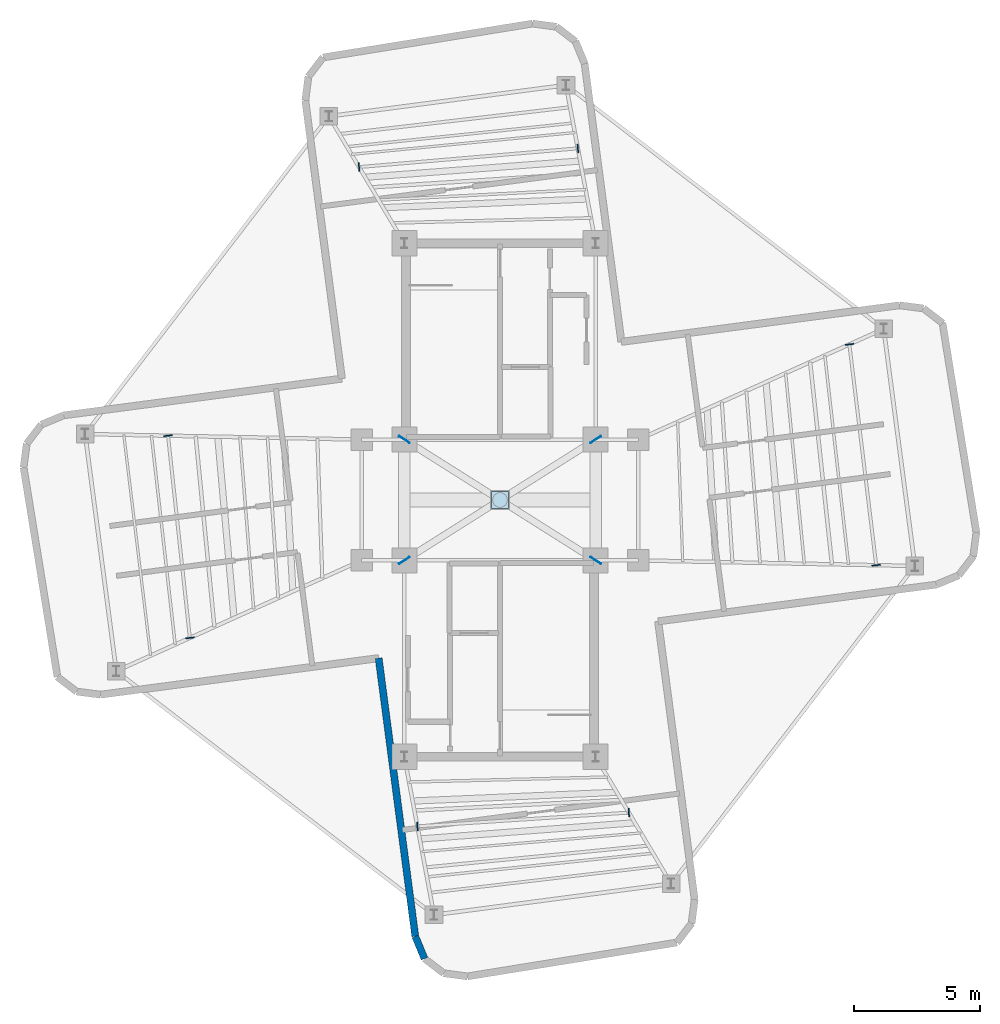
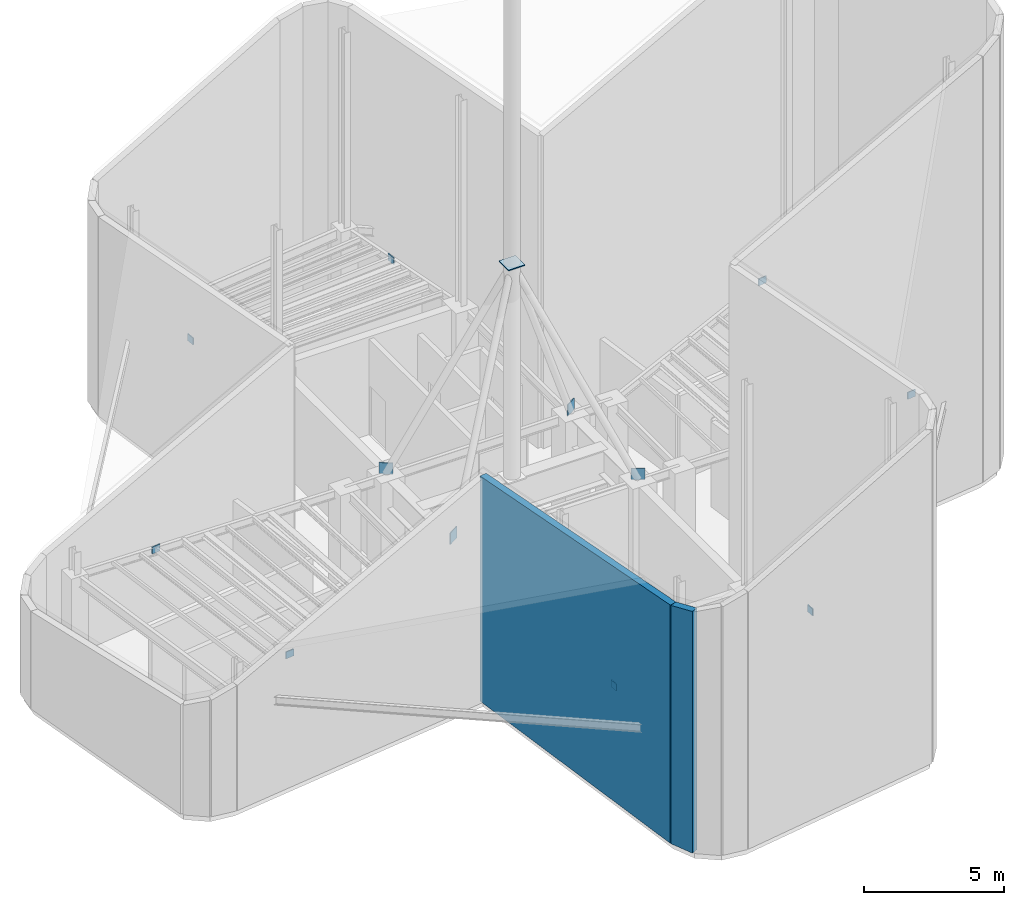
# One storey, part 5 of 8: 13 plates, 2 walls.
"""IFC4 building model written with IfcOpenShell, lengths in metres."""

import ifcopenshell
import ifcopenshell.guid

model = None  # the IFC model being written
_history = None  # IfcOwnerHistory: only IFC2X3 demands one
_inside = {}  # id of a spatial element -> (the spatial element, [elements in it])
_under = {}  # id of a project, library or spatial element -> (it, [spatial elements below it])
_declared = {}  # id of a project -> (the project, [libraries it declares])
_typed = {}  # id of a type object -> (the type object, [elements of that type])
_made_of = {}  # id of a material, layer set ... -> (it, [elements and type objects made of it])


def new_model(schema):
    """Start an empty IFC model of exactly this schema.

    Asked for "IFC4X3", IfcOpenShell would pick the latest addendum, in which some entities
    have other attributes; the version numbers below select the first issue.
    IFC2X3 requires an IfcOwnerHistory on every rooted entity: one is made here for all.
    """
    global model, _history
    if schema == "IFC4X3":
        model = ifcopenshell.file(schema_version=(4, 3, 0, 0))
    else:
        model = ifcopenshell.file(schema=schema)
    _inside.clear()
    _under.clear()
    _declared.clear()
    _typed.clear()
    _made_of.clear()
    _history = None
    if model.schema == "IFC2X3":
        org = make("IfcOrganization", Name="unknown")
        user = make(
            "IfcPersonAndOrganization",
            ThePerson=make("IfcPerson", FamilyName="unknown"),
            TheOrganization=org,
        )
        app = make(
            "IfcApplication",
            ApplicationDeveloper=org,
            Version="unknown",
            ApplicationFullName="unknown",
            ApplicationIdentifier="unknown",
        )
        _history = make(
            "IfcOwnerHistory",
            OwningUser=user,
            OwningApplication=app,
            ChangeAction="ADDED",
            CreationDate=0,
        )
    return model


def make(cls, **values):
    """One entity of the class cls with the attributes given. An attribute that is None is left unset."""
    return model.create_entity(
        cls, **{name: value for name, value in values.items() if value is not None}
    )


def rooted(cls, **values):
    """An entity with a GlobalId (a new one), such as an element, a storey or a relation."""
    return make(cls, GlobalId=ifcopenshell.guid.new(), OwnerHistory=_history, **values)


def si_unit(unit_type, name, prefix=None):
    """IfcSIUnit, for example si_unit("LENGTHUNIT", "METRE", prefix="MILLI")."""
    return make("IfcSIUnit", UnitType=unit_type, Prefix=prefix, Name=name)


def assignment(units):
    """IfcUnitAssignment: the units of a project."""
    return None if units is None else make("IfcUnitAssignment", Units=units)


def point(xyz):
    """IfcCartesianPoint."""
    return None if xyz is None else make("IfcCartesianPoint", Coordinates=xyz)


def direction(xyz):
    """IfcDirection."""
    return None if xyz is None else make("IfcDirection", DirectionRatios=xyz)


def frame(location, z_axis=None, x_axis=None):
    """IfcAxis2Placement3D, a coordinate frame: its origin and axes. An axis left out is left unset."""
    return make(
        "IfcAxis2Placement3D",
        Location=point(location),
        Axis=direction(z_axis),
        RefDirection=direction(x_axis),
    )


def frame_2d(location, x_axis=None):
    """IfcAxis2Placement2D, a coordinate frame in the plane: its origin and x axis."""
    return make(
        "IfcAxis2Placement2D", Location=point(location), RefDirection=direction(x_axis)
    )


def origin():
    """The frame at (0, 0, 0) with its axes left unset."""
    return frame((0.0, 0.0, 0.0))


def origin_2d():
    """The frame at (0, 0) in the plane with its x axis left unset."""
    return frame_2d((0.0, 0.0))


def place(relative_to, where):
    """IfcLocalPlacement: puts the frame where relative to a parent placement (None: the world)."""
    return make(
        "IfcLocalPlacement", PlacementRelTo=relative_to, RelativePlacement=where
    )


def context(
    kind, dimensions, precision=None, world=None, true_north=None, identifier=None
):
    """IfcGeometricRepresentationContext, for example the 3D "Model" context."""
    return make(
        "IfcGeometricRepresentationContext",
        ContextIdentifier=identifier,
        ContextType=kind,
        CoordinateSpaceDimension=dimensions,
        Precision=precision,
        WorldCoordinateSystem=world,
        TrueNorth=true_north,
    )


def subcontext(parent, identifier, kind, view, scale=None):
    """IfcGeometricRepresentationSubContext, for example "Body" below "Model"."""
    return make(
        "IfcGeometricRepresentationSubContext",
        ContextIdentifier=identifier,
        ContextType=kind,
        ParentContext=parent,
        TargetScale=scale,
        TargetView=view,
    )


def project(units=None, contexts=None):
    """IfcProject with its units and contexts."""
    return rooted(
        "IfcProject",
        Name="project",
        RepresentationContexts=contexts,
        UnitsInContext=assignment(units),
    )


def spatial(cls, under=None, at=None, **own):
    """A site, building, storey or space (cls), placed at a placement, below another one or the project."""
    s = rooted(cls, ObjectPlacement=at, **own)
    if under is not None:
        _under.setdefault(under.id(), (under, []))[1].append(s)
    return s


def polyline(points):
    """IfcPolyline through the points."""
    return make("IfcPolyline", Points=[point(p) for p in points])


def profile(cls, at=None, kind="AREA", **sizes):
    """A parametric profile (cls). Its sizes go by their IFC names, for example OverallWidth=200.0."""
    return make(cls, ProfileType=kind, Position=at, **sizes)


def rectangle(**sizes):
    """IfcRectangleProfileDef."""
    return profile("IfcRectangleProfileDef", **sizes)


def outline(outer, holes=None, kind="AREA"):
    """IfcArbitraryClosedProfileDef: a profile drawn as a closed curve; with holes, ...WithVoids."""
    if holes is None:
        return make("IfcArbitraryClosedProfileDef", ProfileType=kind, OuterCurve=outer)
    return make(
        "IfcArbitraryProfileDefWithVoids",
        ProfileType=kind,
        OuterCurve=outer,
        InnerCurves=holes,
    )


def extrude(swept, where, along, depth):
    """IfcExtrudedAreaSolid: the profile swept, set in the frame where, extruded along a direction by depth."""
    return make(
        "IfcExtrudedAreaSolid",
        SweptArea=swept,
        Position=where,
        ExtrudedDirection=direction(along),
        Depth=depth,
    )


def shape(context_of_items, identifier, shape_type, items):
    """IfcShapeRepresentation: the items that make up one representation, for example the "Body"."""
    return make(
        "IfcShapeRepresentation",
        ContextOfItems=context_of_items,
        RepresentationIdentifier=identifier,
        RepresentationType=shape_type,
        Items=items,
    )


def source(mapping_origin, context_of_items, identifier, shape_type, items):
    """IfcRepresentationMap: a shape defined once, which mapped items show again and again."""
    return make(
        "IfcRepresentationMap",
        MappingOrigin=mapping_origin,
        MappedRepresentation=shape(context_of_items, identifier, shape_type, items),
    )


def transform(
    local_origin,
    x_axis=None,
    y_axis=None,
    z_axis=None,
    scale=None,
    scale2=None,
    scale3=None,
    uniform=True,
):
    """IfcCartesianTransformationOperator3D, or its non-uniform kind. x_axis, y_axis, z_axis: its Axis1, 2, 3."""
    if uniform:
        return make(
            "IfcCartesianTransformationOperator3D",
            Axis1=direction(x_axis),
            Axis2=direction(y_axis),
            LocalOrigin=point(local_origin),
            Scale=scale,
            Axis3=direction(z_axis),
        )
    return make(
        "IfcCartesianTransformationOperator3DnonUniform",
        Axis1=direction(x_axis),
        Axis2=direction(y_axis),
        LocalOrigin=point(local_origin),
        Scale=scale,
        Axis3=direction(z_axis),
        Scale2=scale2,
        Scale3=scale3,
    )


def mapped(mapping_source, mapping_target):
    """IfcMappedItem: shows the shape of a source again, moved by a transform."""
    return make(
        "IfcMappedItem", MappingSource=mapping_source, MappingTarget=mapping_target
    )


def material(Name=None, Category=None):
    """IfcMaterial."""
    return make("IfcMaterial", Name=Name, Category=Category)


def layer(
    of_material, thickness, ventilated=None, Name=None, Category=None, Priority=None
):
    """IfcMaterialLayer: one layer of a wall or slab, of a material (None: an air gap)."""
    return make(
        "IfcMaterialLayer",
        Material=of_material,
        LayerThickness=thickness,
        IsVentilated=ventilated,
        Name=Name,
        Category=Category,
        Priority=Priority,
    )


def layer_set(layers, Name=None):
    """IfcMaterialLayerSet."""
    return make("IfcMaterialLayerSet", MaterialLayers=layers, LayerSetName=Name)


def made_of(thing, what):
    """Note that an element or type object is made of a material, layer set ...; save() writes the relation."""
    if what is not None:
        _made_of.setdefault(what.id(), (what, []))[1].append(thing)
    return thing


def type_object(cls, material=None, **own):
    """A type object (cls), such as IfcWallType, which elements share."""
    return made_of(rooted(cls, **own), material)


def element(
    cls,
    number,
    at=None,
    inside=None,
    cuts=None,
    type_object=None,
    material=None,
    context=None,
    identifier="Body",
    shape_type=None,
    held_by="IfcProductDefinitionShape",
    body=None,
    shapes=None,
    **own,
):
    """One element of the class cls, such as IfcWall. Its Tag is "e" and its number.

    at: its placement. inside: the storey or other place that contains it. cuts: it is an
    opening in that element (IfcRelVoidsElement). A single representation is given by context,
    identifier, shape_type and body (its items); several are given by shapes. held_by: the class
    of the entity that holds the representations. save() writes the other relations.
    """
    e = rooted(cls, Tag="e%d" % number, ObjectPlacement=at, **own)
    if body is not None:
        shapes = [shape(context, identifier, shape_type, body)]
    if shapes is not None:
        e.Representation = make(held_by, Representations=shapes)
    if inside is not None:
        _inside.setdefault(inside.id(), (inside, []))[1].append(e)
    if cuts is not None:
        rooted(
            "IfcRelVoidsElement", RelatingBuildingElement=cuts, RelatedOpeningElement=e
        )
    if type_object is not None:
        _typed.setdefault(type_object.id(), (type_object, []))[1].append(e)
    return made_of(e, material)


def aggregate(whole, parts):
    """IfcRelAggregates: a whole, such as a stair, and the parts it consists of."""
    return rooted("IfcRelAggregates", RelatingObject=whole, RelatedObjects=parts)


def save(model, path):
    """Write the relations noted so far, then the file.

    IfcRelAggregates (storeys below a building ...), IfcRelContainedInSpatialStructure (elements
    in a storey), IfcRelDefinesByType, IfcRelAssociatesMaterial and IfcRelDeclares: one each for
    every whole, place, type object, material and project.
    """
    for whole, parts in _under.values():
        aggregate(whole, parts)
    for where, things in _inside.values():
        rooted(
            "IfcRelContainedInSpatialStructure",
            RelatedElements=things,
            RelatingStructure=where,
        )
    for kind, things in _typed.values():
        rooted("IfcRelDefinesByType", RelatedObjects=things, RelatingType=kind)
    for what, things in _made_of.values():
        rooted("IfcRelAssociatesMaterial", RelatedObjects=things, RelatingMaterial=what)
    for by, libraries in _declared.values():
        rooted("IfcRelDeclares", RelatingContext=by, RelatedDefinitions=libraries)
    model.write(path)


model = new_model("IFC4")

# Units and contexts
model_context = context("Model", 3, precision=1e-05, world=origin(), true_north=direction((0.0, 1.0)))
body_context = subcontext(model_context, "Body", "Model", "MODEL_VIEW")
ifc_project = project(units=[si_unit("LENGTHUNIT", "METRE"), si_unit("AREAUNIT", "SQUARE_METRE"), si_unit("VOLUMEUNIT", "CUBIC_METRE"), si_unit("PLANEANGLEUNIT", "RADIAN"), si_unit("MASSUNIT", "GRAM", prefix="KILO")], contexts=[model_context])

# Site, building, storey
site_placement = place(None, origin())
site = spatial("IfcSite", under=ifc_project, at=site_placement, CompositionType="ELEMENT")
building_placement = place(site_placement, origin())
building = spatial("IfcBuilding", under=site, at=building_placement, Name="Sahyath Konkavel Grand Hotel", CompositionType="ELEMENT")
storey_placement = place(building_placement, frame((0.0, 0.0, 300.300048828125)))
storey = spatial("IfcBuildingStorey", under=building, at=storey_placement, Name="L83", CompositionType="ELEMENT", Elevation=300.300048828125)

# Plates
ifc_material_1 = material(Name="Steel E450", Category="steel")
plate_type_1 = type_object("IfcPlateType", Name="GUSSET-END-35", PredefinedType="USERDEFINED", material=ifc_material_1)
shared_shape_1 = source(origin(), body_context, "Body", "SweptSolid", [
    extrude(rectangle(XDim=0.0400390625, YDim=0.340087890625, at=origin_2d()), origin(), (0.0, 0.0, 1.0), 0.300048828125),
])
for number, where, z_axis, x_axis, name in (
    (1, (14.945556640625, -2.590087890625, 3.98974609375), (0.0, 0.0, 1.0), (-0.120673954637, 0.992692196339, 0.0), "L83 Sub-Beam E-6 End Cap A"),
    (2, (13.879150390625, 6.18212890625, 3.98974609375), (0.0, 0.0, 1.0), (-0.120673954637, 0.992692196339, 0.0), "L83 Sub-Beam E-6 End Cap B"),
    (3, (-13.188232421875, 2.5546875, 3.98974609375), (0.0, 0.0, 1.0), (0.107426747974, -0.994213002238, 0.0), "L83 Sub-Beam W-5 End Cap A"),
    (4, (-12.3203125, -5.478515625, 3.98974609375), (0.0, 0.0, 1.0), (0.107426747974, -0.994213002238, 0.0), "L83 Sub-Beam W-5 End Cap B"),
    (5, (3.092529296875, 13.969970703125, 3.98974609375), (0.0, 0.0, 1.0), (-0.996355724401, -0.085295195959, 0.0), "L83 Sub-Beam N-4 End Cap A"),
    (6, (-5.5986328125, 13.225830078125, 3.98974609375), (0.0, 0.0, 1.0), (-0.996355724401, -0.085295195959, 0.0), "L83 Sub-Beam N-4 End Cap B"),
    (7, (-3.28125, -12.964599609375, 3.98974609375), (0.0, 0.0, 1.0), (0.997897558543, 0.064810976344, 0.0), "L83 Sub-Beam S-3 End Cap A"),
    (8, (5.118896484375, -12.4189453125, 3.98974609375), (0.0, 0.0, 1.0), (0.997897558543, 0.064810976344, 0.0), "L83 Sub-Beam S-3 End Cap B"),
):
    element("IfcPlate", number, at=place(storey_placement, frame(where, z_axis=z_axis, x_axis=x_axis)), inside=storey, type_object=plate_type_1, Name=name, ObjectType="GUSSET_PLATE", PredefinedType="USERDEFINED", context=body_context, shape_type="MappedRepresentation", body=[
        mapped(shared_shape_1, transform((0.0, 0.0, 0.0), scale=1.0)),
    ])
shared_shape_2 = source(origin(), body_context, "Body", "SweptSolid", [
    extrude(rectangle(XDim=0.5, YDim=0.034912109375, at=origin_2d()), origin(), (0.0, 0.0, 1.0), 0.5),
])
for number, where, z_axis, x_axis, name in (
    (9, (-3.800048828125, 2.39990234375, 4.199951171875), (0.0, 0.0, 1.0), (0.845485588049, -0.533998240073, 0.0), "Crown Spire Tripod Base Gusset Plate NW"),
    (10, (3.800048828125, 2.39990234375, 4.199951171875), (0.0, 0.0, 1.0), (-0.845485588049, -0.533998240073, 0.0), "Crown Spire Tripod Base Gusset Plate NE"),
    (11, (-3.800048828125, -2.39990234375, 4.199951171875), (0.0, 0.0, 1.0), (0.845485588049, 0.533998240073, 0.0), "Crown Spire Tripod Base Gusset Plate SW"),
    (12, (3.800048828125, -2.39990234375, 4.199951171875), (0.0, 0.0, 1.0), (-0.845485588049, 0.533998240073, 0.0), "Crown Spire Tripod Base Gusset Plate SE"),
):
    element("IfcPlate", number, at=place(storey_placement, frame(where, z_axis=z_axis, x_axis=x_axis)), inside=storey, type_object=plate_type_1, Name=name, ObjectType="GUSSET_PLATE", PredefinedType="USERDEFINED", context=body_context, shape_type="MappedRepresentation", body=[
        mapped(shared_shape_2, transform((0.0, 0.0, 0.0), scale=1.0)),
    ])
plate_type_2 = type_object("IfcPlateType", Name="GUSSET-NODE-40", PredefinedType="USERDEFINED", material=ifc_material_1)
shared_shape_3 = source(origin(), body_context, "Body", "SweptSolid", [
    extrude(rectangle(XDim=0.679931640625, YDim=0.679931640625, at=origin_2d()), origin(), (0.0, 0.0, 1.0), 0.044921875),
])
plate_placement = place(storey_placement, frame((0.0, 0.0, 13.4775390625), z_axis=(0.0, 0.0, 1.0), x_axis=(1.0, 0.0, 0.0)))
element("IfcPlate", 13, at=plate_placement, inside=storey, type_object=plate_type_2, Name="Crown Spire Tripod Collar Node Plate", ObjectType="GUSSET_PLATE", PredefinedType="USERDEFINED", context=body_context, shape_type="MappedRepresentation", body=[
    mapped(shared_shape_3, transform((0.0, 0.0, 0.0), scale=1.0)),
])

# Walls
ifc_material_2 = material(Name="Warm Buff Sandstone Insulated Concrete C40/50", Category="masonry")
ifc_layer = layer(ifc_material_2, 0.280029296875)
ifc_layer_set = layer_set([ifc_layer], Name="Warm Buff Sandstone Insulated Concrete C40/50")
wall_type = type_object("IfcWallType", Name="WLL-CROWN-CLAD", PredefinedType="SOLIDWALL", material=ifc_layer_set)
wall_1_placement = place(storey_placement, frame((-4.821044921875, -6.282958984375, 0.0), z_axis=(0.0, 0.0, 1.0), x_axis=(0.130521347626, -0.991445499165, 0.0)))
element("IfcWall", 14, at=wall_1_placement, inside=storey, type_object=wall_type, Name="L83 Sloped Crown Sandstone Cladding Wall 24", PredefinedType="SOLIDWALL", context=body_context, shape_type="SweptSolid", body=[
    extrude(outline(polyline([(0.0, 0.0), (11.150146484375, 0.0), (11.14990234375, 10.3740234375), (0.0, 9.801025390625), (0.0, 0.0)])), frame((0.0, 0.14013671875, 0.0), z_axis=(0.0, -1.0, 0.0), x_axis=(1.0, 0.0, 0.0)), (0.0, 0.0, 1.0), 0.280029296875),
])
wall_2_placement = place(storey_placement, frame((-3.36572265625, -17.337646484375, 0.0), z_axis=(0.0, 0.0, 1.0), x_axis=(0.382659506909, -0.923889442397, 0.0)))
element("IfcWall", 15, at=wall_2_placement, inside=storey, type_object=wall_type, Name="L83 Sloped Crown Sandstone Cladding Wall 25", PredefinedType="SOLIDWALL", context=body_context, shape_type="SweptSolid", body=[
    extrude(outline(polyline([(0.0, 0.0), (0.957763671875, 0.0), (0.957763671875, 10.51904296875), (0.0, 10.3740234375), (0.0, 0.0)])), frame((0.0, 0.14013671875, 0.0), z_axis=(0.0, -1.0, 0.0), x_axis=(1.0, 0.0, 0.0)), (0.0, 0.0, 1.0), 0.280029296875),
])

save(model, "model.ifc")
